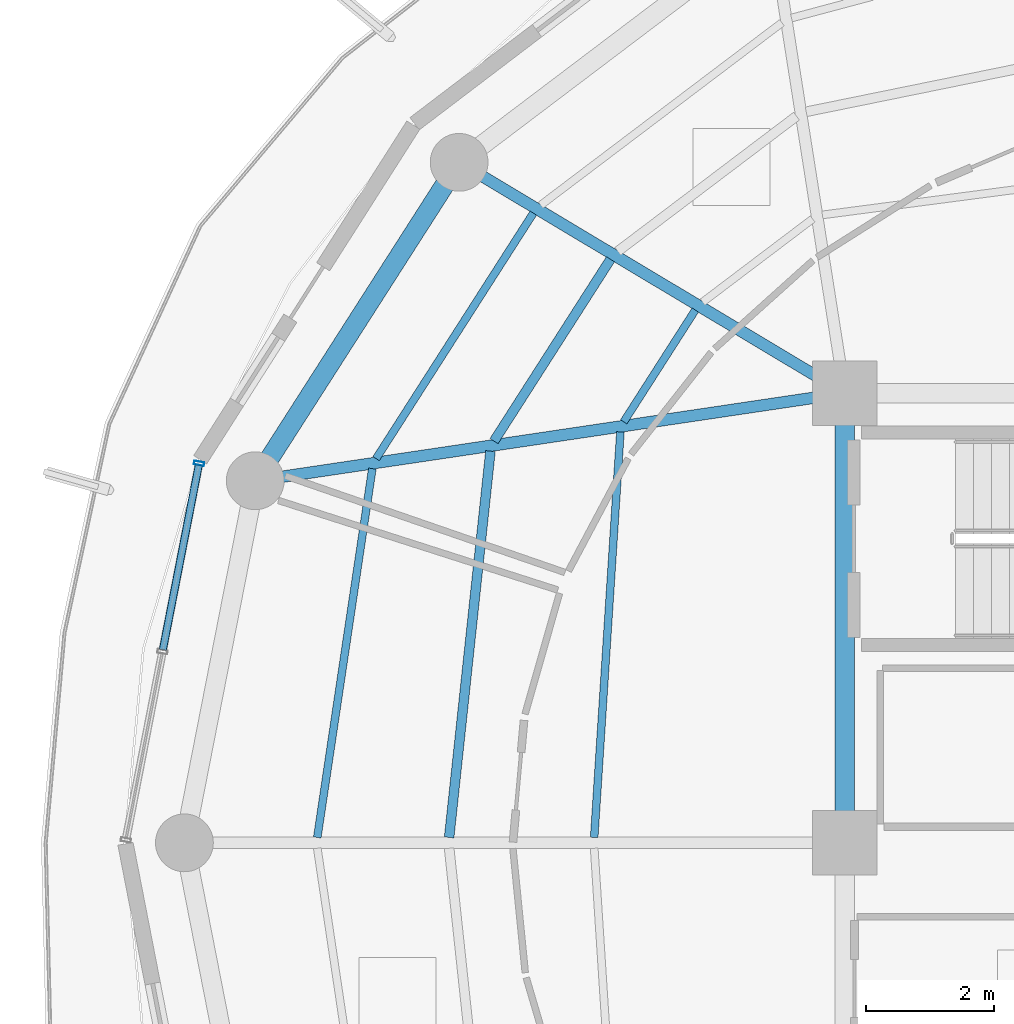
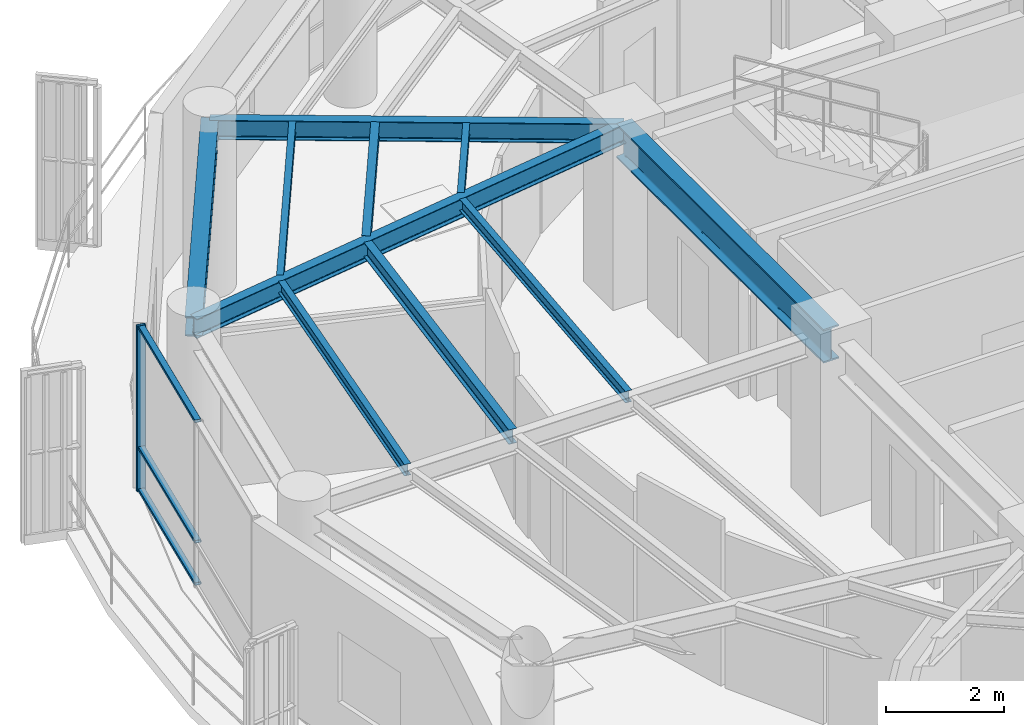
# One storey, part 8 of 23: 10 beams, 4 members, 1 element without a shape of its own.
"""IFC4 building model written with IfcOpenShell, lengths in metres."""

from ifc_helpers import new_model, si_unit, direction, frame, origin, origin_2d, place, context, subcontext, project, spatial, hollow_rectangle, i_section, extrude, material, layer, layer_set, material_profile, profile_set, type_object, element, aggregate, save


model = new_model("IFC4")

# Units and contexts
model_context = context("Model", 3, precision=1e-05, world=origin(), true_north=direction((0.0, 1.0)))
body_context = subcontext(model_context, "Body", "Model", "MODEL_VIEW")
ifc_project = project(units=[si_unit("LENGTHUNIT", "METRE"), si_unit("AREAUNIT", "SQUARE_METRE"), si_unit("VOLUMEUNIT", "CUBIC_METRE"), si_unit("PLANEANGLEUNIT", "RADIAN"), si_unit("MASSUNIT", "GRAM", prefix="KILO")], contexts=[model_context])

# Site, building, storey
site_placement = place(None, origin())
site = spatial("IfcSite", under=ifc_project, at=site_placement, CompositionType="ELEMENT")
building_placement = place(site_placement, origin())
building = spatial("IfcBuilding", under=site, at=building_placement, Name="Kelanora Arch Commons", CompositionType="ELEMENT")
storey_placement = place(building_placement, frame((0.0, 0.0, 289.949951171875)))
storey = spatial("IfcBuildingStorey", under=building, at=storey_placement, Name="L74", CompositionType="ELEMENT", Elevation=289.949951171875)

# Beams
ifc_material_1 = material(Name="Steel S355", Category="steel")
ifc_material_profile_1 = material_profile(ifc_material_1, i_section(OverallWidth=0.300048828125, OverallDepth=0.699951171875, WebThickness=0.01708984375, FlangeThickness=0.031982421875, FilletRadius=0.027099609375, at=origin_2d()), Name="HEB700")
ifc_profile_set_1 = profile_set([ifc_material_profile_1], Name="Steel S355")
beam_type_1 = type_object("IfcBeamType", Name="BM-CORE-HDR", PredefinedType="BEAM", material=ifc_profile_set_1)
beam_1_placement = place(storey_placement, frame((66.0, 65.0, 3.080078125), z_axis=(0.0, -1.0, 0.0), x_axis=(1.0, 0.0, 0.0)))
element("IfcBeam", 1, at=beam_1_placement, inside=storey, type_object=beam_type_1, Name="Core Header Beam 08 L74", PredefinedType="BEAM", context=body_context, shape_type="SweptSolid", body=[
    extrude(i_section(OverallWidth=0.300048828125, OverallDepth=0.699951171875, WebThickness=0.01708984375, FlangeThickness=0.031982421875, FilletRadius=0.027099609375, at=origin_2d()), origin(), (0.0, 0.0, 1.0), 7.0),
])
ifc_material_profile_2 = material_profile(ifc_material_1, i_section(OverallWidth=0.14990234375, OverallDepth=0.300048828125, WebThickness=0.007080078125, FlangeThickness=0.0107421875, FilletRadius=0.014892578125, at=origin_2d()), Name="IPE300")
ifc_profile_set_2 = profile_set([ifc_material_profile_2], Name="Steel S355")
beam_type_2 = type_object("IfcBeamType", Name="BM-JST-01", PredefinedType="JOIST", material=ifc_profile_set_2)
beam_2_placement = place(storey_placement, frame((62.352294921875, 67.084228515625, 3.280029296875), z_axis=(-0.539321586177, -0.842099891155, 0.0), x_axis=(0.842099891155, -0.539321586177, 0.0)))
element("IfcBeam", 2, at=beam_2_placement, inside=storey, type_object=beam_type_2, Name="Secondary Chord Joist BJB-14 L74", PredefinedType="JOIST", context=body_context, shape_type="SweptSolid", body=[
    extrude(i_section(OverallWidth=0.14990234375, OverallDepth=0.300048828125, WebThickness=0.007080078125, FlangeThickness=0.0107421875, FilletRadius=0.014892578125, at=origin_2d()), origin(), (0.0, 0.0, 1.0), 3.361572265625),
])
beam_3_placement = place(storey_placement, frame((60.484375, 64.097412109375, 3.280029296875), z_axis=(-0.106380594087, -0.994325484538, 0.0), x_axis=(0.994325484538, -0.106380594087, 0.0)))
element("IfcBeam", 3, at=beam_3_placement, inside=storey, type_object=beam_type_2, Name="Secondary Chord Joist BJB-16 L74", PredefinedType="JOIST", context=body_context, shape_type="SweptSolid", body=[
    extrude(i_section(OverallWidth=0.14990234375, OverallDepth=0.300048828125, WebThickness=0.007080078125, FlangeThickness=0.0107421875, FilletRadius=0.014892578125, at=origin_2d()), origin(), (0.0, 0.0, 1.0), 6.04736328125),
])
ifc_material_profile_3 = material_profile(ifc_material_1, i_section(OverallWidth=0.1201171875, OverallDepth=0.239990234375, WebThickness=0.006103515625, FlangeThickness=0.009765625, FilletRadius=0.014892578125, at=origin_2d()), Name="IPE240")
ifc_profile_set_3 = profile_set([ifc_material_profile_3], Name="Steel S355")
beam_type_3 = type_object("IfcBeamType", Name="BM-JST-02", PredefinedType="JOIST", material=ifc_profile_set_3)
beam_4_placement = place(storey_placement, frame((63.6728515625, 66.293701171875, 3.31005859375), z_axis=(-0.539311810315, -0.842106152011, 0.0), x_axis=(0.842106152011, -0.539311810315, 0.0)))
element("IfcBeam", 4, at=beam_4_placement, inside=storey, type_object=beam_type_3, Name="Secondary Chord Joist BJA-14 L74", PredefinedType="JOIST", context=body_context, shape_type="SweptSolid", body=[
    extrude(i_section(OverallWidth=0.1201171875, OverallDepth=0.239990234375, WebThickness=0.006103515625, FlangeThickness=0.009765625, FilletRadius=0.014892578125, at=origin_2d()), origin(), (0.0, 0.0, 1.0), 2.06640625),
])
beam_5_placement = place(storey_placement, frame((61.151611328125, 67.802978515625, 3.31005859375), z_axis=(-0.539288735289, -0.842120929552, 0.0), x_axis=(0.842120929552, -0.539288735289, 0.0)))
element("IfcBeam", 5, at=beam_5_placement, inside=storey, type_object=beam_type_3, Name="Secondary Chord Joist BJC-14 L74", PredefinedType="JOIST", context=body_context, shape_type="SweptSolid", body=[
    extrude(i_section(OverallWidth=0.1201171875, OverallDepth=0.239990234375, WebThickness=0.006103515625, FlangeThickness=0.009765625, FilletRadius=0.014892578125, at=origin_2d()), origin(), (0.0, 0.0, 1.0), 4.538818359375),
])
beam_6_placement = place(storey_placement, frame((62.507080078125, 64.39697265625, 3.31005859375), z_axis=(-0.064495107978, -0.99791802321, 0.0), x_axis=(0.99791802321, -0.064495107978, 0.0)))
element("IfcBeam", 6, at=beam_6_placement, inside=storey, type_object=beam_type_3, Name="Secondary Chord Joist BJA-16 L74", PredefinedType="JOIST", context=body_context, shape_type="SweptSolid", body=[
    extrude(i_section(OverallWidth=0.1201171875, OverallDepth=0.239990234375, WebThickness=0.006103515625, FlangeThickness=0.009765625, FilletRadius=0.014892578125, at=origin_2d()), origin(), (0.0, 0.0, 1.0), 6.325439453125),
])
beam_7_placement = place(storey_placement, frame((58.6455078125, 63.8251953125, 3.31005859375), z_axis=(-0.14762470282, -0.989043450571, 0.0), x_axis=(0.989043450571, -0.14762470282, 0.0)))
element("IfcBeam", 7, at=beam_7_placement, inside=storey, type_object=beam_type_3, Name="Secondary Chord Joist BJC-16 L74", PredefinedType="JOIST", context=body_context, shape_type="SweptSolid", body=[
    extrude(i_section(OverallWidth=0.1201171875, OverallDepth=0.239990234375, WebThickness=0.006103515625, FlangeThickness=0.009765625, FilletRadius=0.014892578125, at=origin_2d()), origin(), (0.0, 0.0, 1.0), 5.804931640625),
])
ifc_material_profile_4 = material_profile(ifc_material_1, i_section(OverallWidth=0.179931640625, OverallDepth=0.39990234375, WebThickness=0.008544921875, FlangeThickness=0.013427734375, FilletRadius=0.02099609375, at=origin_2d()), Name="IPE400")
ifc_profile_set_4 = profile_set([ifc_material_profile_4], Name="Steel S355")
beam_type_4 = type_object("IfcBeamType", Name="BM-RAD-Z5", PredefinedType="BEAM", material=ifc_profile_set_4)
beam_8_placement = place(storey_placement, frame((66.0, 65.0, 3.22998046875), z_axis=(-0.858062005744, 0.513546097541, 0.0), x_axis=(-0.513546097541, -0.858062005744, 0.0)))
element("IfcBeam", 8, at=beam_8_placement, inside=storey, type_object=beam_type_4, Name="Radial Floor Girder BR-14 L74", PredefinedType="BEAM", context=body_context, shape_type="SweptSolid", body=[
    extrude(i_section(OverallWidth=0.179931640625, OverallDepth=0.39990234375, WebThickness=0.008544921875, FlangeThickness=0.013427734375, FilletRadius=0.02099609375, at=origin_2d()), origin(), (0.0, 0.0, 1.0), 6.99658203125),
])
beam_9_placement = place(storey_placement, frame((66.0, 65.0, 3.22998046875), z_axis=(-0.989142485564, -0.146959665395, 0.0), x_axis=(0.146959665395, -0.989142485564, 0.0)))
element("IfcBeam", 9, at=beam_9_placement, inside=storey, type_object=beam_type_4, Name="Radial Floor Girder BR-16 L74", PredefinedType="BEAM", context=body_context, shape_type="SweptSolid", body=[
    extrude(i_section(OverallWidth=0.179931640625, OverallDepth=0.39990234375, WebThickness=0.008544921875, FlangeThickness=0.013427734375, FilletRadius=0.02099609375, at=origin_2d()), origin(), (0.0, 0.0, 1.0), 9.2783203125),
])
ifc_material_profile_5 = material_profile(ifc_material_1, i_section(OverallWidth=0.300048828125, OverallDepth=0.39990234375, WebThickness=0.013427734375, FlangeThickness=0.02392578125, FilletRadius=0.027099609375, at=origin_2d()), Name="HEB400")
ifc_profile_set_5 = profile_set([ifc_material_profile_5], Name="Steel S355")
beam_type_5 = type_object("IfcBeamType", Name="BM-SPN-Z4", PredefinedType="SPANDREL", material=ifc_profile_set_5)
beam_10_placement = place(storey_placement, frame((59.99658203125, 68.593017578125, 3.22998046875), z_axis=(-0.539280851353, -0.842125978322, 0.0), x_axis=(0.842125978322, -0.539280851353, 0.0)))
element("IfcBeam", 10, at=beam_10_placement, inside=storey, type_object=beam_type_5, Name="Perimeter Spandrel Beam BS-14 L74", PredefinedType="SPANDREL", context=body_context, shape_type="SweptSolid", body=[
    extrude(i_section(OverallWidth=0.300048828125, OverallDepth=0.39990234375, WebThickness=0.013427734375, FlangeThickness=0.02392578125, FilletRadius=0.027099609375, at=origin_2d()), origin(), (0.0, 0.0, 1.0), 5.8857421875),
])

# Curtain wall, members
ifc_material_2 = material(Name="Terracotta ceramic-fritted low-E glass and aluminium", Category="masonry")
ifc_layer = layer(ifc_material_2, 0.18994140625)
ifc_layer_set = layer_set([ifc_layer], Name="Terracotta ceramic-fritted low-E glass and aluminium")
curtain_wall_type = type_object("IfcCurtainWallType", Name="CW-SYS-03", PredefinedType="NOTDEFINED", material=ifc_layer_set)
curtain_wall_placement = place(storey_placement, origin())
curtain_wall = element("IfcCurtainWall", 11, at=curtain_wall_placement, inside=storey, type_object=curtain_wall_type, Name="Unitised Curtain Wall L74-B08", PredefinedType="NOTDEFINED")
ifc_material_3 = material(Name="Powder-coated aluminium terracotta", Category="masonry")
ifc_material_profile_6 = material_profile(ifc_material_3, hollow_rectangle(XDim=0.159912109375, YDim=0.06005859375, WallThickness=0.0048828125, InnerFilletRadius=0.0048828125, OuterFilletRadius=0.010009765625, at=origin_2d()), Name="CWM160x60")
ifc_profile_set_6 = profile_set([ifc_material_profile_6], Name="Powder-coated aluminium terracotta")
member_type_1 = type_object("IfcMemberType", Name="CWM-STD", PredefinedType="MULLION", material=ifc_profile_set_6)
member_1_placement = place(storey_placement, frame((55.94921875, 63.906982421875, 0.0), z_axis=(0.0, 0.0, 1.0), x_axis=(0.981595542501, -0.190971701941, 0.0)))
member_1 = element("IfcMember", 12, at=member_1_placement, type_object=member_type_1, Name="CW-03 mullion 1", PredefinedType="MULLION", context=body_context, shape_type="SweptSolid", body=[
    extrude(hollow_rectangle(XDim=0.159912109375, YDim=0.06005859375, WallThickness=0.0048828125, InnerFilletRadius=0.0048828125, OuterFilletRadius=0.010009765625, at=origin_2d()), origin(), (0.0, 0.0, 1.0), 3.4150390625),
])
ifc_material_profile_7 = material_profile(ifc_material_3, hollow_rectangle(XDim=0.1201171875, YDim=0.06005859375, WallThickness=0.0048828125, InnerFilletRadius=0.0048828125, OuterFilletRadius=0.010009765625, at=origin_2d()), Name="CWT120x60")
ifc_profile_set_7 = profile_set([ifc_material_profile_7], Name="Powder-coated aluminium terracotta")
member_type_2 = type_object("IfcMemberType", Name="CWT-STD", PredefinedType="USERDEFINED", material=ifc_profile_set_7)
member_2_placement = place(storey_placement, frame((55.943603515625, 63.877685546875, 0.030029296875), z_axis=(-0.190963443354, -0.981597149192, 0.0), x_axis=(0.981597149192, -0.190963443354, 0.0)))
member_2 = element("IfcMember", 13, at=member_2_placement, type_object=member_type_2, Name="CW-03 transom 1.1", ObjectType="TRANSOM", PredefinedType="USERDEFINED", context=body_context, shape_type="SweptSolid", body=[
    extrude(hollow_rectangle(XDim=0.1201171875, YDim=0.06005859375, WallThickness=0.0048828125, InnerFilletRadius=0.0048828125, OuterFilletRadius=0.010009765625, at=origin_2d()), origin(), (0.0, 0.0, 1.0), 2.926513671875),
])
member_3_placement = place(storey_placement, frame((55.943603515625, 63.877685546875, 0.900146484375), z_axis=(-0.190963443354, -0.981597149192, 0.0), x_axis=(0.981597149192, -0.190963443354, 0.0)))
member_3 = element("IfcMember", 14, at=member_3_placement, type_object=member_type_2, Name="CW-03 transom 1.2", ObjectType="TRANSOM", PredefinedType="USERDEFINED", context=body_context, shape_type="SweptSolid", body=[
    extrude(hollow_rectangle(XDim=0.1201171875, YDim=0.06005859375, WallThickness=0.0048828125, InnerFilletRadius=0.0048828125, OuterFilletRadius=0.010009765625, at=origin_2d()), origin(), (0.0, 0.0, 1.0), 2.926513671875),
])
member_4_placement = place(storey_placement, frame((55.943603515625, 63.877685546875, 3.385009765625), z_axis=(-0.190963443354, -0.981597149192, 0.0), x_axis=(0.981597149192, -0.190963443354, 0.0)))
member_4 = element("IfcMember", 15, at=member_4_placement, type_object=member_type_2, Name="CW-03 transom 1.3", ObjectType="TRANSOM", PredefinedType="USERDEFINED", context=body_context, shape_type="SweptSolid", body=[
    extrude(hollow_rectangle(XDim=0.1201171875, YDim=0.06005859375, WallThickness=0.0048828125, InnerFilletRadius=0.0048828125, OuterFilletRadius=0.010009765625, at=origin_2d()), origin(), (0.0, 0.0, 1.0), 2.926513671875),
])
aggregate(curtain_wall, [member_1, member_2, member_3, member_4])

save(model, "model.ifc")
